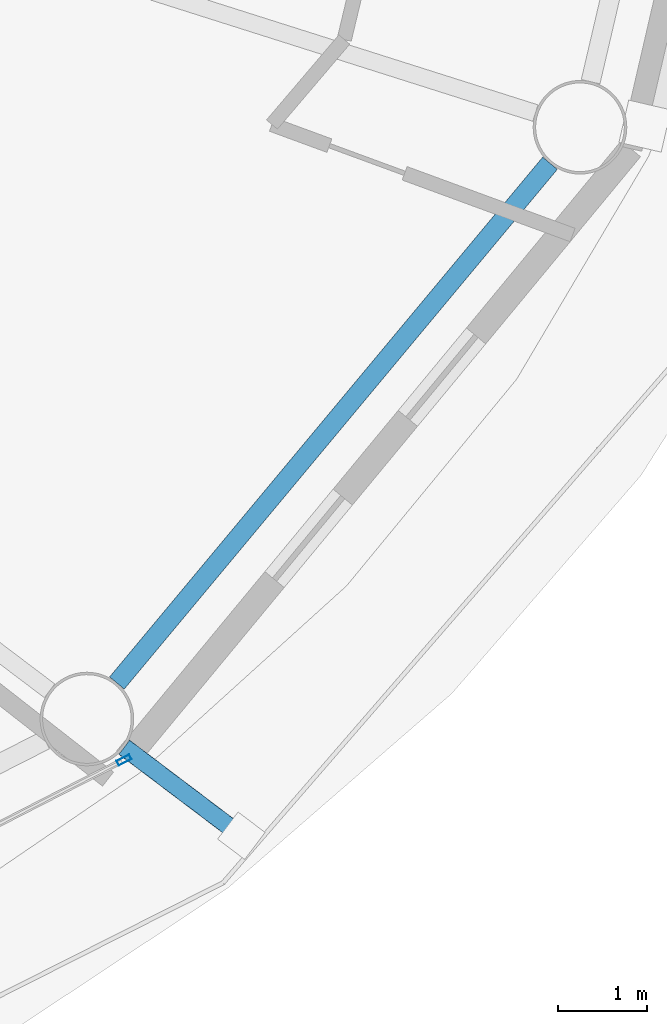
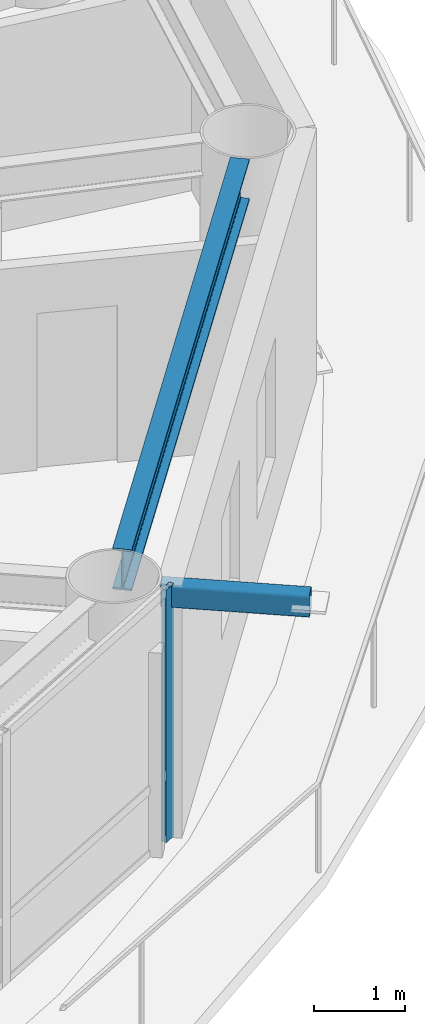
# One storey, part 7 of 30: 2 members, 1 beam, 1 element without a shape of its own.
"""IFC4 building model written with IfcOpenShell, lengths in metres."""

from ifc_helpers import new_model, si_unit, direction, frame, origin, origin_2d, place, context, subcontext, project, spatial, hollow_rectangle, i_section, extrude, material, layer, layer_set, material_profile, profile_set, type_object, element, aggregate, save


model = new_model("IFC4")

# Units and contexts
model_context = context("Model", 3, precision=1e-05, world=origin(), true_north=direction((0.0, 1.0)))
body_context = subcontext(model_context, "Body", "Model", "MODEL_VIEW")
ifc_project = project(units=[si_unit("LENGTHUNIT", "METRE"), si_unit("AREAUNIT", "SQUARE_METRE"), si_unit("VOLUMEUNIT", "CUBIC_METRE"), si_unit("PLANEANGLEUNIT", "RADIAN"), si_unit("MASSUNIT", "GRAM", prefix="KILO")], contexts=[model_context])

# Site, building, storey
site_placement = place(None, origin())
site = spatial("IfcSite", under=ifc_project, at=site_placement, CompositionType="ELEMENT")
building_placement = place(site_placement, origin())
building = spatial("IfcBuilding", under=site, at=building_placement, Name="Sarneth Arch Tower", CompositionType="ELEMENT")
storey_placement = place(building_placement, frame((0.0, 0.0, 161.39990234375)))
storey = spatial("IfcBuildingStorey", under=building, at=storey_placement, Name="L40", CompositionType="ELEMENT", Elevation=161.39990234375)

# Beam
ifc_material_1 = material(Name="Steel S355", Category="steel")
ifc_material_profile_1 = material_profile(ifc_material_1, i_section(OverallWidth=0.214111328125, OverallDepth=0.549072265625, WebThickness=0.0146484375, FlangeThickness=0.023681640625, FilletRadius=0.01806640625, at=origin_2d()), Name="W530x138")
ifc_profile_set_1 = profile_set([ifc_material_profile_1], Name="Steel S355")
beam_type = type_object("IfcBeamType", Name="BM-RAD-530A", PredefinedType="BEAM", material=ifc_profile_set_1)
beam_placement = place(storey_placement, frame((67.469970703125, 27.943115234375, 3.105712890625), z_axis=(0.640171737024, 0.768231831621, 0.0), x_axis=(-0.768231831621, 0.640171737024, 0.0)))
element("IfcBeam", 1, at=beam_placement, inside=storey, type_object=beam_type, Name="L40 Perimeter spandrel beam 15", PredefinedType="BEAM", context=body_context, shape_type="SweptSolid", body=[
    extrude(i_section(OverallWidth=0.214111328125, OverallDepth=0.549072265625, WebThickness=0.0146484375, FlangeThickness=0.023681640625, FilletRadius=0.01806640625, at=origin_2d()), origin(), (0.0, 0.0, 1.0), 7.585693359375),
])

# Curtain wall, member
ifc_material_2 = material(Name="Anodised aluminium Type AA25 and solar-control low-e laminated IGU", Category="aluminium")
ifc_layer = layer(ifc_material_2, 0.169921875)
ifc_layer_set = layer_set([ifc_layer], Name="Anodised aluminium Type AA25 and solar-control low-e laminated IGU")
curtain_wall_type = type_object("IfcCurtainWallType", Name="CW-RES-MID", PredefinedType="NOTDEFINED", material=ifc_layer_set)
curtain_wall_placement = place(storey_placement, origin())
curtain_wall = element("IfcCurtainWall", 2, at=curtain_wall_placement, inside=storey, type_object=curtain_wall_type, Name="L40 Unitised curtain wall facet 14", PredefinedType="NOTDEFINED")
ifc_material_3 = material(Name="Anodised Aluminium 6063-T6", Category="aluminium")
ifc_material_profile_2 = material_profile(ifc_material_3, hollow_rectangle(XDim=0.06005859375, YDim=0.159912109375, WallThickness=0.00390625, at=origin_2d()), Name="AL-MULL-160x60x4")
ifc_profile_set_2 = profile_set([ifc_material_profile_2], Name="Anodised Aluminium 6063-T6")
member_type_1 = type_object("IfcMemberType", Name="CW-MULLION", PredefinedType="MULLION", material=ifc_profile_set_2)
member_1_placement = place(storey_placement, frame((67.549560546875, 27.08056640625, 0.0), z_axis=(0.0, 0.0, 1.0), x_axis=(-0.456208470329, 0.88987293003, 0.0)))
member_1 = element("IfcMember", 3, at=member_1_placement, type_object=member_type_1, Name="CW-SYS-5 mullion 4", PredefinedType="MULLION", context=body_context, shape_type="SweptSolid", body=[
    extrude(hollow_rectangle(XDim=0.06005859375, YDim=0.159912109375, WallThickness=0.00390625, at=origin_2d()), origin(), (0.0, 0.0, 1.0), 3.380126953125),
])
aggregate(curtain_wall, [member_1])

# Member
ifc_material_4 = material(Name="Steel S355", Category="steel")
ifc_material_profile_3 = material_profile(ifc_material_4, hollow_rectangle(XDim=0.199951171875, YDim=0.300048828125, WallThickness=0.012451171875, InnerFilletRadius=0.018798828125, OuterFilletRadius=0.03125, at=origin_2d()), Name="RHS300x200x12.5")
ifc_profile_set_3 = profile_set([ifc_material_profile_3], Name="Steel S355")
member_type_2 = type_object("IfcMemberType", Name="MEM-CANT-STRUT", PredefinedType="STRUT", material=ifc_profile_set_3)
member_2_placement = place(storey_placement, frame((67.552734375, 27.22314453125, 3.22021484375), z_axis=(0.797768992816, -0.602963211234, 0.0), x_axis=(0.602963211234, 0.797768992816, 0.0)))
element("IfcMember", 4, at=member_2_placement, inside=storey, type_object=member_type_2, Name="L40 Balcony cantilever bracket 15", PredefinedType="STRUT", context=body_context, shape_type="SweptSolid", body=[
    extrude(hollow_rectangle(XDim=0.199951171875, YDim=0.300048828125, WallThickness=0.012451171875, InnerFilletRadius=0.018798828125, OuterFilletRadius=0.03125, at=origin_2d()), origin(), (0.0, 0.0, 1.0), 1.6455078125),
])

save(model, "model.ifc")
